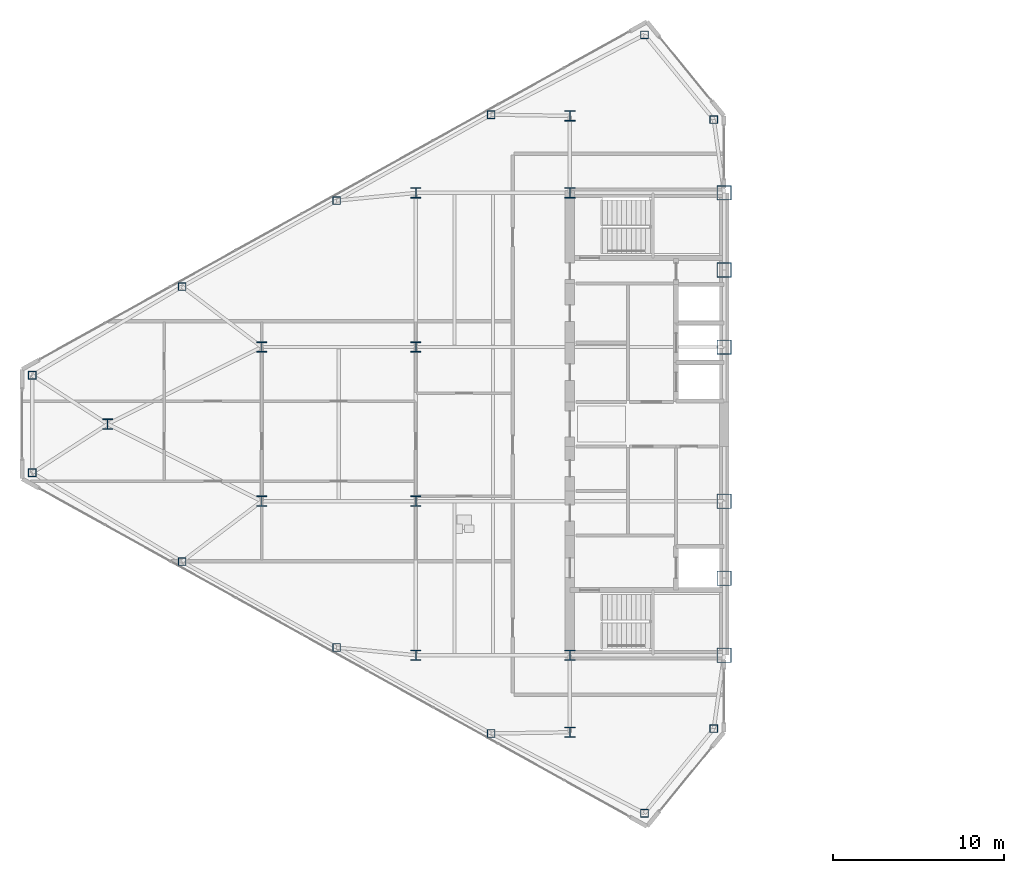
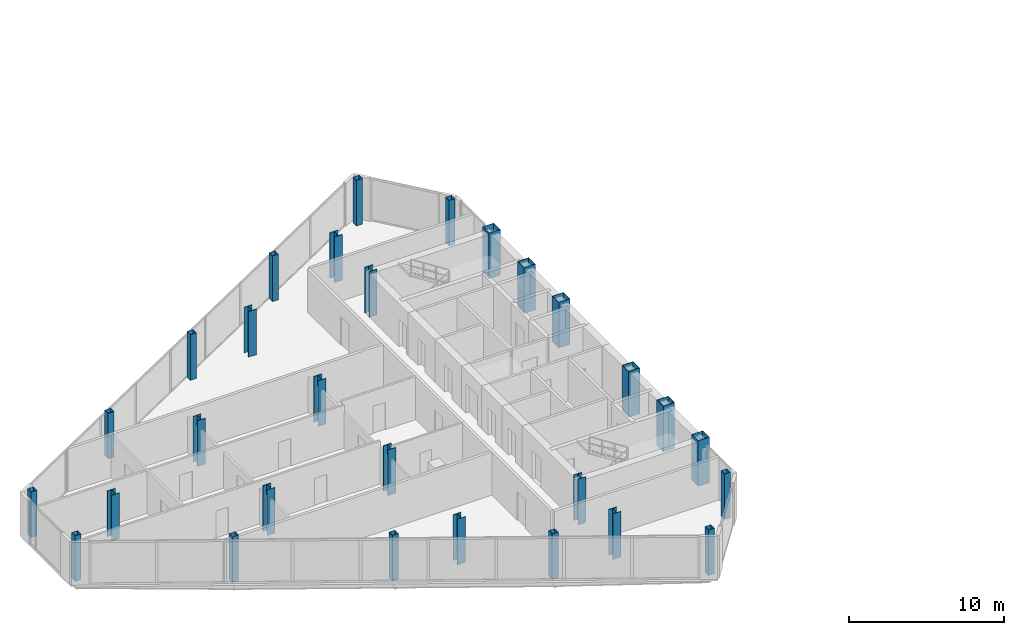
# One storey, part 1 of 26: 29 columns.
"""IFC4 building model written with IfcOpenShell, lengths in metres."""

from ifc_helpers import new_model, si_unit, direction, frame, origin, origin_2d, place, context, subcontext, project, spatial, hollow_rectangle, i_section, extrude, source, transform, mapped, material, material_profile, profile_set, type_object, type_shapes, element, save


model = new_model("IFC4")

# Units and contexts
model_context = context("Model", 3, precision=1e-05, world=origin(), true_north=direction((0.0, 1.0)))
body_context = subcontext(model_context, "Body", "Model", "MODEL_VIEW")
ifc_project = project(units=[si_unit("LENGTHUNIT", "METRE"), si_unit("AREAUNIT", "SQUARE_METRE"), si_unit("VOLUMEUNIT", "CUBIC_METRE"), si_unit("PLANEANGLEUNIT", "RADIAN"), si_unit("MASSUNIT", "GRAM", prefix="KILO")], contexts=[model_context])

# Site, building, storey
site_placement = place(None, origin())
site = spatial("IfcSite", under=ifc_project, at=site_placement, CompositionType="ELEMENT")
building_placement = place(site_placement, origin())
building = spatial("IfcBuilding", under=site, at=building_placement, Name="Seokmaru Belvedere", CompositionType="ELEMENT")
storey_placement = place(building_placement, frame((0.0, 0.0, 167.10009765625)))
storey = spatial("IfcBuildingStorey", under=building, at=storey_placement, Name="L44", CompositionType="ELEMENT", Elevation=167.10009765625)

# Columns
ifc_material_1 = material(Name="Steel SM355 (355 MPa)", Category="steel")
ifc_material_profile_1 = material_profile(ifc_material_1, hollow_rectangle(XDim=0.449951171875, YDim=0.449951171875, WallThickness=0.01806640625, at=origin_2d()), Name="HSS-450x450x18")
ifc_profile_set_1 = profile_set([ifc_material_profile_1], Name="Steel SM355 (355 MPa)")
column_type_1 = type_object("IfcColumnType", Name="Perimeter Facet Column HSS-450", PredefinedType="COLUMN", material=ifc_profile_set_1)
shared_shape_1 = source(origin(), body_context, "Body", "SweptSolid", [
    extrude(hollow_rectangle(XDim=0.449951171875, YDim=0.449951171875, WallThickness=0.01806640625, at=origin_2d()), origin(), (0.0, 0.0, 1.0), 3.599853515625),
])
type_shapes(column_type_1, [shared_shape_1])
for number, where, z_axis, x_axis, name in (
    (1, (-28.10009765625, -17.785888671875, 0.0), (0.0, 0.0, 1.0), (1.0, 0.0, 0.0), "L44 Column WF1"),
    (2, (-28.10009765625, 17.785888671875, 0.0), (0.0, 0.0, 1.0), (1.0, 0.0, 0.0), "L44 Column WF2"),
    (3, (-32.146728515625, 22.731689453125, 0.0), (0.0, 0.0, 1.0), (1.0, 0.0, 0.0), "L44 Column WF3"),
    (4, (-67.89990234375, 2.84716796875, 0.0), (0.0, 0.0, 1.0), (1.0, 0.0, 0.0), "L44 Column WF4"),
    (5, (-67.89990234375, -2.84716796875, 0.0), (0.0, 0.0, 1.0), (1.0, 0.0, 0.0), "L44 Column WF5"),
    (6, (-32.146728515625, -22.731689453125, 0.0), (0.0, 0.0, 1.0), (1.0, 0.0, 0.0), "L44 Column WF6"),
    (7, (-41.103759765625, -18.07080078125, 0.0), (0.0, 0.0, 1.0), (1.0, 0.0, 0.0), "L44 Column WFLK_S1"),
    (8, (-50.129150390625, -13.051025390625, 0.0), (0.0, 0.0, 1.0), (1.0, 0.0, 0.0), "L44 Column WFLK_S2"),
    (9, (-59.154541015625, -8.031494140625, 0.0), (0.0, 0.0, 1.0), (1.0, 0.0, 0.0), "L44 Column WFLK_S3"),
    (10, (-41.103759765625, 18.07080078125, 0.0), (0.0, 0.0, 1.0), (1.0, 0.0, 0.0), "L44 Column WFLK_N1"),
    (11, (-50.129150390625, 13.051025390625, 0.0), (0.0, 0.0, 1.0), (1.0, 0.0, 0.0), "L44 Column WFLK_N2"),
    (12, (-59.154541015625, 8.031494140625, 0.0), (0.0, 0.0, 1.0), (1.0, 0.0, 0.0), "L44 Column WFLK_N3"),
):
    element("IfcColumn", number, at=place(storey_placement, frame(where, z_axis=z_axis, x_axis=x_axis)), inside=storey, type_object=column_type_1, Name=name, PredefinedType="COLUMN", context=body_context, shape_type="MappedRepresentation", body=[
        mapped(shared_shape_1, transform((0.0, 0.0, 0.0), scale=1.0)),
    ])
ifc_material_2 = material(Name="Steel HSA650 (650 MPa)", Category="steel")
ifc_material_profile_2 = material_profile(ifc_material_2, hollow_rectangle(XDim=0.85009765625, YDim=0.85009765625, WallThickness=0.035888671875, at=origin_2d()), Name="BOX-850x850x36")
ifc_profile_set_2 = profile_set([ifc_material_profile_2], Name="Steel HSA650 (650 MPa)")
column_type_2 = type_object("IfcColumnType", Name="Portal Spine Column BOX-850", PredefinedType="COLUMN", material=ifc_profile_set_2)
shared_shape_2 = source(origin(), body_context, "Body", "SweptSolid", [
    extrude(hollow_rectangle(XDim=0.85009765625, YDim=0.85009765625, WallThickness=0.035888671875, at=origin_2d()), origin(), (0.0, 0.0, 1.0), 3.599853515625),
])
type_shapes(column_type_2, [shared_shape_2])
for number, where, z_axis, x_axis, name in (
    (13, (-27.5, -13.5, 0.0), (0.0, 0.0, 1.0), (1.0, 0.0, 0.0), "L44 Column WS1"),
    (14, (-27.5, -9.0, 0.0), (0.0, 0.0, 1.0), (1.0, 0.0, 0.0), "L44 Column WS2"),
    (15, (-27.5, -4.5, 0.0), (0.0, 0.0, 1.0), (1.0, 0.0, 0.0), "L44 Column WS3"),
    (16, (-27.5, 4.5, 0.0), (0.0, 0.0, 1.0), (1.0, 0.0, 0.0), "L44 Column WS4"),
    (17, (-27.5, 9.0, 0.0), (0.0, 0.0, 1.0), (1.0, 0.0, 0.0), "L44 Column WS5"),
    (18, (-27.5, 13.5, 0.0), (0.0, 0.0, 1.0), (1.0, 0.0, 0.0), "L44 Column WS6"),
):
    element("IfcColumn", number, at=place(storey_placement, frame(where, z_axis=z_axis, x_axis=x_axis)), inside=storey, type_object=column_type_2, Name=name, PredefinedType="COLUMN", context=body_context, shape_type="MappedRepresentation", body=[
        mapped(shared_shape_2, transform((0.0, 0.0, 0.0), scale=1.0)),
    ])
ifc_material_profile_3 = material_profile(ifc_material_1, i_section(OverallWidth=0.60009765625, OverallDepth=0.60009765625, WebThickness=0.02490234375, FlangeThickness=0.0400390625, at=origin_2d()), Name="H-600x600x25x40")
ifc_profile_set_3 = profile_set([ifc_material_profile_3], Name="Steel SM355 (355 MPa)")
column_type_3 = type_object("IfcColumnType", Name="Upper-Mid Interior Column H-600", PredefinedType="COLUMN", material=ifc_profile_set_3)
shared_shape_3 = source(origin(), body_context, "Body", "SweptSolid", [
    extrude(i_section(OverallWidth=0.60009765625, OverallDepth=0.60009765625, WebThickness=0.02490234375, FlangeThickness=0.0400390625, at=origin_2d()), origin(), (0.0, 0.0, 1.0), 3.599853515625),
])
type_shapes(column_type_3, [shared_shape_3])
for number, where, z_axis, x_axis, name in (
    (19, (-36.5, -18.0, 0.0), (0.0, 0.0, 1.0), (1.0, 0.0, 0.0), "L44 Column WC1"),
    (20, (-36.5, -13.5, 0.0), (0.0, 0.0, 1.0), (1.0, 0.0, 0.0), "L44 Column WC2"),
    (21, (-36.5, 13.5, 0.0), (0.0, 0.0, 1.0), (1.0, 0.0, 0.0), "L44 Column WC3"),
    (22, (-36.5, 18.0, 0.0), (0.0, 0.0, 1.0), (1.0, 0.0, 0.0), "L44 Column WC4"),
    (23, (-45.5, -13.5, 0.0), (0.0, 0.0, 1.0), (1.0, 0.0, 0.0), "L44 Column WG5_1"),
    (24, (-45.5, -4.5, 0.0), (0.0, 0.0, 1.0), (1.0, 0.0, 0.0), "L44 Column WG5_2"),
    (25, (-45.5, 4.5, 0.0), (0.0, 0.0, 1.0), (1.0, 0.0, 0.0), "L44 Column WG5_3"),
    (26, (-45.5, 13.5, 0.0), (0.0, 0.0, 1.0), (1.0, 0.0, 0.0), "L44 Column WG5_4"),
    (27, (-54.5, -4.5, 0.0), (0.0, 0.0, 1.0), (1.0, 0.0, 0.0), "L44 Column WG4P_1"),
    (28, (-54.5, 4.5, 0.0), (0.0, 0.0, 1.0), (1.0, 0.0, 0.0), "L44 Column WG4P_2"),
    (29, (-63.5, 0.0, 0.0), (0.0, 0.0, 1.0), (1.0, 0.0, 0.0), "L44 Column WG3P_1"),
):
    element("IfcColumn", number, at=place(storey_placement, frame(where, z_axis=z_axis, x_axis=x_axis)), inside=storey, type_object=column_type_3, Name=name, PredefinedType="COLUMN", context=body_context, shape_type="MappedRepresentation", body=[
        mapped(shared_shape_3, transform((0.0, 0.0, 0.0), scale=1.0)),
    ])

save(model, "model.ifc")
